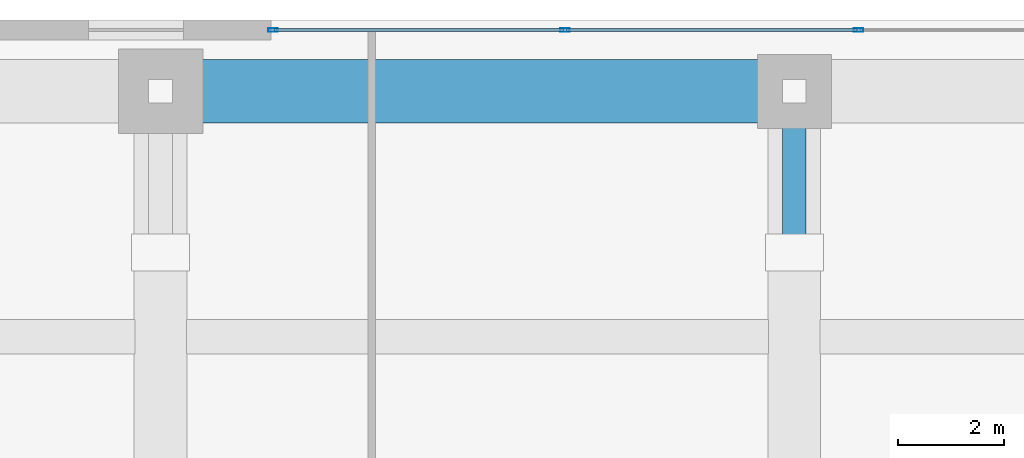
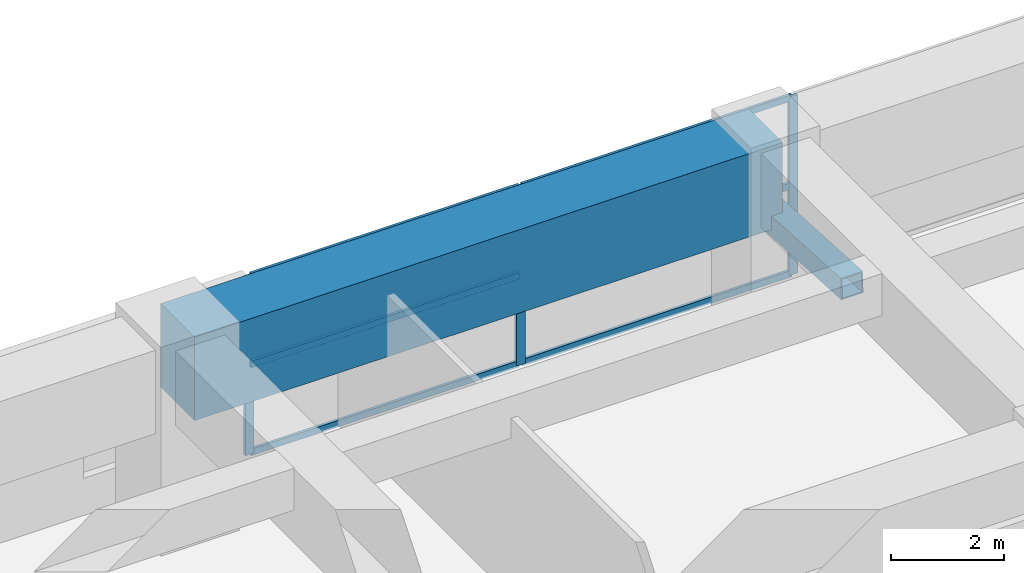
# One storey, part 5 of 33: 10 members, 1 beam, 1 element without a shape of its own.
"""IFC4 building model written with IfcOpenShell, lengths in metres."""

from ifc_helpers import new_model, si_unit, direction, frame, origin, origin_2d, place, context, subcontext, project, spatial, rectangle, hollow_rectangle, extrude, source, transform, mapped, material, layer, layer_set, material_profile, profile_set, type_object, element, aggregate, save


model = new_model("IFC4")

# Units and contexts
model_context = context("Model", 3, precision=1e-05, world=origin(), true_north=direction((0.0, 1.0)))
body_context = subcontext(model_context, "Body", "Model", "MODEL_VIEW")
ifc_project = project(units=[si_unit("LENGTHUNIT", "METRE"), si_unit("AREAUNIT", "SQUARE_METRE"), si_unit("VOLUMEUNIT", "CUBIC_METRE"), si_unit("PLANEANGLEUNIT", "RADIAN"), si_unit("MASSUNIT", "GRAM", prefix="KILO")], contexts=[model_context])

# Site, building, storey
site_placement = place(None, origin())
site = spatial("IfcSite", under=ifc_project, at=site_placement, CompositionType="ELEMENT")
building_placement = place(site_placement, origin())
building = spatial("IfcBuilding", under=site, at=building_placement, Name="Khoralis Quay Care Tower", CompositionType="ELEMENT")
storey_placement = place(building_placement, frame((0.0, 0.0, 18.0)))
storey = spatial("IfcBuildingStorey", under=building, at=storey_placement, Name="L04", CompositionType="ELEMENT", Elevation=18.0)

# Beam
ifc_material_1 = material(Name="Concrete C80/95", Category="concrete")
ifc_material_profile_1 = material_profile(ifc_material_1, rectangle(XDim=1.199951171875, YDim=1.800048828125, at=origin_2d()), Name="Concrete C80/95")
ifc_profile_set_1 = profile_set([ifc_material_profile_1], Name="Concrete C80/95")
beam_type = type_object("IfcBeamType", Name="TG-RC1200X1800", PredefinedType="BEAM", material=ifc_profile_set_1)
shared_shape_1 = source(origin(), body_context, "Body", "SweptSolid", [
    extrude(rectangle(XDim=1.199951171875, YDim=1.800048828125, at=origin_2d()), origin(), (0.0, 0.0, 1.0), 12.0),
])
beam_placement = place(storey_placement, frame((12.0, 46.64990234375, 3.419921875), z_axis=(1.0, 0.0, 0.0), x_axis=(0.0, 1.0, 0.0)))
element("IfcBeam", 1, at=beam_placement, inside=storey, type_object=beam_type, Name="L04 Transfer girder BM-PODX-L04-20", PredefinedType="BEAM", context=body_context, shape_type="MappedRepresentation", body=[
    mapped(shared_shape_1, transform((0.0, 0.0, 0.0), scale=1.0)),
])

# Member
ifc_material_2 = material(Name="Steel S460", Category="steel")
ifc_material_profile_2 = material_profile(ifc_material_2, hollow_rectangle(XDim=0.449951171875, YDim=0.449951171875, WallThickness=0.02490234375, at=origin_2d()), Name="Steel S460")
ifc_profile_set_2 = profile_set([ifc_material_profile_2], Name="Steel S460")
member_type_1 = type_object("IfcMemberType", Name="BR-RHS450X450X25", PredefinedType="BRACE", material=ifc_profile_set_2)
shared_shape_2 = source(origin(), body_context, "Body", "SweptSolid", [
    extrude(hollow_rectangle(XDim=0.449951171875, YDim=0.449951171875, WallThickness=0.02490234375, at=origin_2d()), origin(), (0.0, 0.0, 1.0), 3.054443359375),
])
member_1_placement = place(storey_placement, frame((24.0, 46.64990234375, 2.550048828125), z_axis=(0.0, -0.998451487005, 0.055629381601), x_axis=(1.0, 0.0, 0.0)))
element("IfcMember", 2, at=member_1_placement, inside=storey, type_object=member_type_1, Name="Podium Transfer Truss Brace 05", PredefinedType="BRACE", context=body_context, shape_type="MappedRepresentation", body=[
    mapped(shared_shape_2, transform((0.0, 0.0, 0.0), scale=1.0)),
])

# Curtain wall, members
ifc_material_3 = material(Name="Pale anodised aluminium", Category="aluminium")
ifc_layer = layer(ifc_material_3, 0.179931640625)
ifc_layer_set = layer_set([ifc_layer], Name="Pale anodised aluminium")
curtain_wall_type = type_object("IfcCurtainWallType", Name="CW-SYS-Z1", PredefinedType="NOTDEFINED", material=ifc_layer_set)
curtain_wall_placement = place(storey_placement, origin())
curtain_wall = element("IfcCurtainWall", 3, at=curtain_wall_placement, inside=storey, type_object=curtain_wall_type, Name="L04 Unitised Curtain Wall CW-POD-L04-E4", PredefinedType="NOTDEFINED")
ifc_material_profile_3 = material_profile(ifc_material_3, hollow_rectangle(XDim=0.06005859375, YDim=0.139892578125, WallThickness=0.00390625, at=origin_2d()), Name="Pale anodised aluminium")
ifc_profile_set_3 = profile_set([ifc_material_profile_3], Name="Pale anodised aluminium")
member_type_2 = type_object("IfcMemberType", Name="CW-TRN-140", PredefinedType="USERDEFINED", material=ifc_profile_set_3)
shared_shape_3 = source(origin(), body_context, "Body", "SweptSolid", [
    extrude(hollow_rectangle(XDim=0.06005859375, YDim=0.139892578125, WallThickness=0.00390625, at=origin_2d()), origin(), (0.0, 0.0, 1.0), 5.471923828125),
])
member_2_placement = place(storey_placement, frame((19.626953125, 47.81005859375, 0.030029296875), z_axis=(-1.0, 0.0, 0.0), x_axis=(0.0, -1.0, 0.0)))
member_2 = element("IfcMember", 4, at=member_2_placement, type_object=member_type_2, Name="CW1 transom 5.1", ObjectType="TRANSOM", PredefinedType="USERDEFINED", context=body_context, shape_type="MappedRepresentation", body=[
    mapped(shared_shape_3, transform((0.0, 0.0, 0.0), scale=1.0)),
])
member_3_placement = place(storey_placement, frame((19.626953125, 47.81005859375, 1.925048828125), z_axis=(-1.0, 0.0, 0.0), x_axis=(0.0, -1.0, 0.0)))
member_3 = element("IfcMember", 5, at=member_3_placement, type_object=member_type_2, Name="CW1 transom 5.2", ObjectType="TRANSOM", PredefinedType="USERDEFINED", context=body_context, shape_type="MappedRepresentation", body=[
    mapped(shared_shape_3, transform((0.0, 0.0, 0.0), scale=1.0)),
])
member_4_placement = place(storey_placement, frame((19.626953125, 47.81005859375, 3.820068359375), z_axis=(-1.0, 0.0, 0.0), x_axis=(0.0, -1.0, 0.0)))
member_4 = element("IfcMember", 6, at=member_4_placement, type_object=member_type_2, Name="CW1 transom 5.3", ObjectType="TRANSOM", PredefinedType="USERDEFINED", context=body_context, shape_type="MappedRepresentation", body=[
    mapped(shared_shape_3, transform((0.0, 0.0, 0.0), scale=1.0)),
])
shared_shape_4 = source(origin(), body_context, "Body", "SweptSolid", [
    extrude(hollow_rectangle(XDim=0.06005859375, YDim=0.139892578125, WallThickness=0.00390625, at=origin_2d()), origin(), (0.0, 0.0, 1.0), 5.501953125),
])
member_5_placement = place(storey_placement, frame((25.18896484375, 47.81005859375, 0.030029296875), z_axis=(-1.0, 0.0, 0.0), x_axis=(0.0, -1.0, 0.0)))
member_5 = element("IfcMember", 7, at=member_5_placement, type_object=member_type_2, Name="CW1 transom 4.1", ObjectType="TRANSOM", PredefinedType="USERDEFINED", context=body_context, shape_type="MappedRepresentation", body=[
    mapped(shared_shape_4, transform((0.0, 0.0, 0.0), scale=1.0)),
])
member_6_placement = place(storey_placement, frame((25.18896484375, 47.81005859375, 1.925048828125), z_axis=(-1.0, 0.0, 0.0), x_axis=(0.0, -1.0, 0.0)))
member_6 = element("IfcMember", 8, at=member_6_placement, type_object=member_type_2, Name="CW1 transom 4.2", ObjectType="TRANSOM", PredefinedType="USERDEFINED", context=body_context, shape_type="MappedRepresentation", body=[
    mapped(shared_shape_4, transform((0.0, 0.0, 0.0), scale=1.0)),
])
member_7_placement = place(storey_placement, frame((25.18896484375, 47.81005859375, 3.820068359375), z_axis=(-1.0, 0.0, 0.0), x_axis=(0.0, -1.0, 0.0)))
member_7 = element("IfcMember", 9, at=member_7_placement, type_object=member_type_2, Name="CW1 transom 4.3", ObjectType="TRANSOM", PredefinedType="USERDEFINED", context=body_context, shape_type="MappedRepresentation", body=[
    mapped(shared_shape_4, transform((0.0, 0.0, 0.0), scale=1.0)),
])
ifc_material_profile_4 = material_profile(ifc_material_3, hollow_rectangle(XDim=0.06494140625, YDim=0.179931640625, WallThickness=0.00390625, at=origin_2d()), Name="Pale anodised aluminium")
ifc_profile_set_4 = profile_set([ifc_material_profile_4], Name="Pale anodised aluminium")
member_type_3 = type_object("IfcMemberType", Name="CW-MUL-180", PredefinedType="MULLION", material=ifc_profile_set_4)
shared_shape_5 = source(origin(), body_context, "Body", "SweptSolid", [
    extrude(hollow_rectangle(XDim=0.06494140625, YDim=0.179931640625, WallThickness=0.00390625, at=origin_2d()), origin(), (0.0, 0.0, 1.0), 3.85009765625),
])
member_8_placement = place(storey_placement, frame((25.218994140625, 47.81005859375, 0.0), z_axis=(0.0, 0.0, 1.0), x_axis=(0.0, -1.0, 0.0)))
member_8 = element("IfcMember", 10, at=member_8_placement, type_object=member_type_3, Name="CW1 mullion 4", PredefinedType="MULLION", context=body_context, shape_type="MappedRepresentation", body=[
    mapped(shared_shape_5, transform((0.0, 0.0, 0.0), scale=1.0)),
])
member_9_placement = place(storey_placement, frame((19.656982421875, 47.81005859375, 0.0), z_axis=(0.0, 0.0, 1.0), x_axis=(0.0, -1.0, 0.0)))
member_9 = element("IfcMember", 11, at=member_9_placement, type_object=member_type_3, Name="CW1 mullion 5", PredefinedType="MULLION", context=body_context, shape_type="MappedRepresentation", body=[
    mapped(shared_shape_5, transform((0.0, 0.0, 0.0), scale=1.0)),
])
member_10_placement = place(storey_placement, frame((14.125, 47.81005859375, 0.0), z_axis=(0.0, 0.0, 1.0), x_axis=(0.0, -1.0, 0.0)))
member_10 = element("IfcMember", 12, at=member_10_placement, type_object=member_type_3, Name="CW1 mullion 6", PredefinedType="MULLION", context=body_context, shape_type="MappedRepresentation", body=[
    mapped(shared_shape_5, transform((0.0, 0.0, 0.0), scale=1.0)),
])
aggregate(curtain_wall, [member_8, member_9, member_10, member_5, member_6, member_7, member_2, member_3, member_4])

save(model, "model.ifc")
